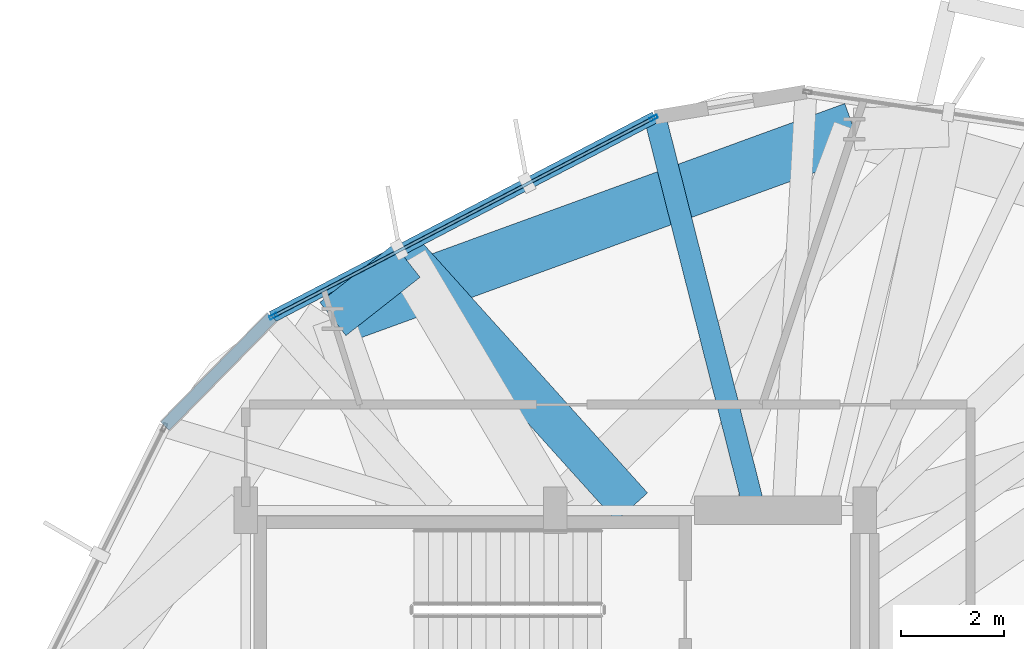
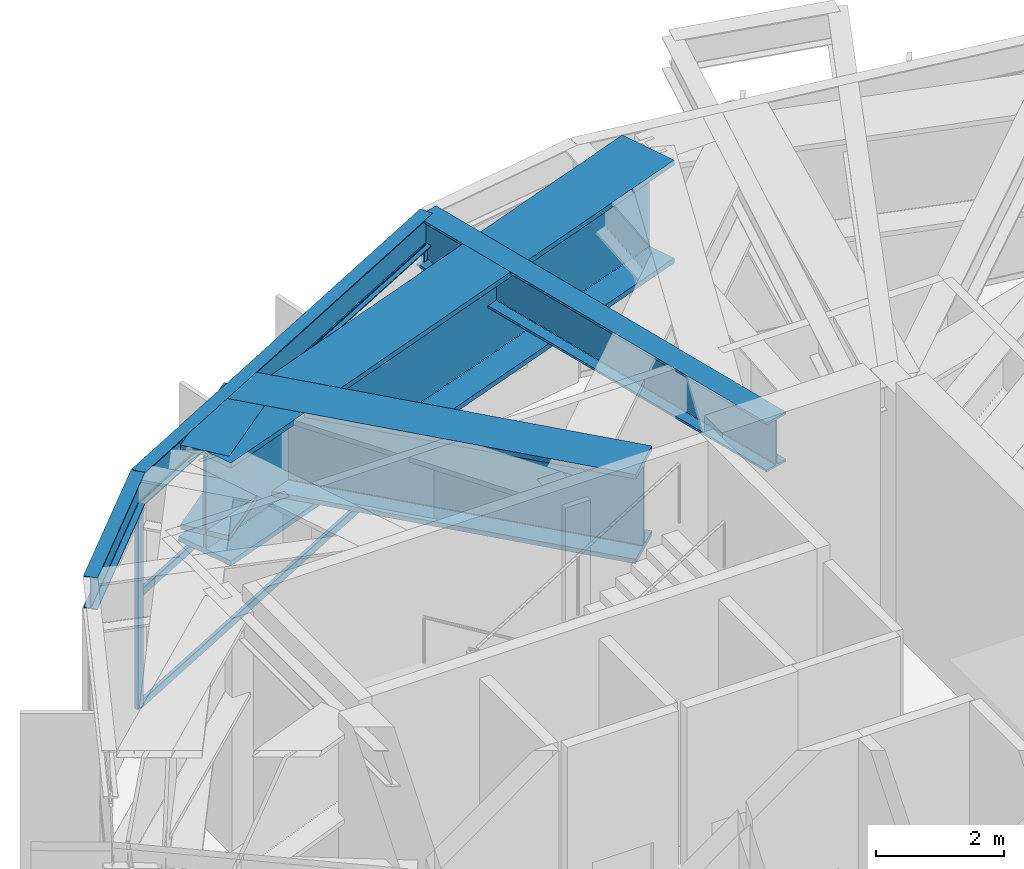
# One storey, part 17 of 27: 6 beams, 5 members, 1 element without a shape of its own.
"""IFC4 building model written with IfcOpenShell, lengths in metres."""

from ifc_helpers import new_model, si_unit, direction, frame, origin, origin_2d, place, context, subcontext, project, spatial, hollow_rectangle, i_section, extrude, material, layer, layer_set, material_profile, profile_set, type_object, element, aggregate, save


model = new_model("IFC4")

# Units and contexts
model_context = context("Model", 3, precision=1e-05, world=origin(), true_north=direction((0.0, 1.0)))
body_context = subcontext(model_context, "Body", "Model", "MODEL_VIEW")
ifc_project = project(units=[si_unit("LENGTHUNIT", "METRE"), si_unit("AREAUNIT", "SQUARE_METRE"), si_unit("VOLUMEUNIT", "CUBIC_METRE"), si_unit("PLANEANGLEUNIT", "RADIAN"), si_unit("MASSUNIT", "GRAM", prefix="KILO")], contexts=[model_context])

# Site, building, storey
site_placement = place(None, origin())
site = spatial("IfcSite", under=ifc_project, at=site_placement, CompositionType="ELEMENT")
building_placement = place(site_placement, origin())
building = spatial("IfcBuilding", under=site, at=building_placement, Name="Soratama Intermodal Tower", CompositionType="ELEMENT")
storey_placement = place(building_placement, frame((0.0, 0.0, 134.199951171875)))
storey = spatial("IfcBuildingStorey", under=building, at=storey_placement, Name="L32", CompositionType="ELEMENT", Elevation=134.199951171875)

# Beams
ifc_material_1 = material(Name="Structural steel ASTM A992 Grade 50", Category="steel")
ifc_material_profile_1 = material_profile(ifc_material_1, i_section(OverallWidth=0.423095703125, OverallDepth=0.93896484375, WebThickness=0.02392578125, FlangeThickness=0.042724609375, FilletRadius=0.02392578125, at=origin_2d()), Name="W36X302")
ifc_profile_set_1 = profile_set([ifc_material_profile_1], Name="Structural steel ASTM A992 Grade 50")
beam_type_1 = type_object("IfcBeamType", Name="BM-POD-W36X302", PredefinedType="BEAM", material=ifc_profile_set_1)
beam_1_placement = place(storey_placement, frame((42.4560546875, 35.0390625, 4.030517578125), z_axis=(-0.24570660758, 0.969344243802, 0.0), x_axis=(-0.969344243802, -0.24570660758, 0.0)))
element("IfcBeam", 1, at=beam_1_placement, inside=storey, type_object=beam_type_1, Name="BM-L32-TIE0-03", PredefinedType="BEAM", context=body_context, shape_type="SweptSolid", body=[
    extrude(i_section(OverallWidth=0.423095703125, OverallDepth=0.93896484375, WebThickness=0.02392578125, FlangeThickness=0.042724609375, FilletRadius=0.02392578125, at=origin_2d()), origin(), (0.0, 0.0, 1.0), 7.82275390625),
])
ifc_material_2 = material(Name="Structural steel ASTM A992 Grade 50", Category="steel")
ifc_material_profile_2 = material_profile(ifc_material_2, i_section(OverallWidth=0.22900390625, OverallDepth=0.612060546875, WebThickness=0.011962890625, FlangeThickness=0.01953125, FilletRadius=0.012939453125, at=origin_2d()), Name="W24X84")
ifc_profile_set_2 = profile_set([ifc_material_profile_2], Name="Structural steel ASTM A992 Grade 50")
beam_type_2 = type_object("IfcBeamType", Name="BM-SPN-W24X84", PredefinedType="SPANDREL", material=ifc_profile_set_2)
beam_2_placement = place(storey_placement, frame((40.533935546875, 42.6220703125, 4.194091796875), z_axis=(-0.886678375348, -0.462386698219, 0.0), x_axis=(0.462386698219, -0.886678375348, 0.0)))
element("IfcBeam", 2, at=beam_2_placement, inside=storey, type_object=beam_type_2, Name="BS-L32-F03", PredefinedType="SPANDREL", context=body_context, shape_type="SweptSolid", body=[
    extrude(i_section(OverallWidth=0.22900390625, OverallDepth=0.612060546875, WebThickness=0.011962890625, FlangeThickness=0.01953125, FilletRadius=0.012939453125, at=origin_2d()), origin(), (0.0, 0.0, 1.0), 8.376220703125),
])
beam_3_placement = place(storey_placement, frame((33.10693359375, 38.7490234375, 4.194091796875), z_axis=(-0.700327222019, -0.713821954061, 0.0), x_axis=(0.713821954061, -0.700327222019, 0.0)))
element("IfcBeam", 3, at=beam_3_placement, inside=storey, type_object=beam_type_2, Name="BS-L32-CRN03", PredefinedType="SPANDREL", context=body_context, shape_type="SweptSolid", body=[
    extrude(i_section(OverallWidth=0.22900390625, OverallDepth=0.612060546875, WebThickness=0.011962890625, FlangeThickness=0.01953125, FilletRadius=0.012939453125, at=origin_2d()), origin(), (0.0, 0.0, 1.0), 2.967041015625),
])
ifc_material_3 = material(Name="Structural steel ASTM A992 Grade 50", Category="steel")
ifc_material_profile_3 = material_profile(ifc_material_3, i_section(OverallWidth=0.820068359375, OverallDepth=1.699951171875, WebThickness=0.053955078125, FlangeThickness=0.087890625, FilletRadius=0.02392578125, at=origin_2d()), Name="PG1580X800")
ifc_profile_set_3 = profile_set([ifc_material_profile_3], Name="Structural steel ASTM A992 Grade 50")
beam_type_3 = type_object("IfcBeamType", Name="BM-ZSTEP-PG1580", PredefinedType="BEAM", material=ifc_profile_set_3)
beam_4_placement = place(storey_placement, frame((40.0849609375, 35.06298828125, 3.650146484375), z_axis=(-0.669155763406, 0.7431221732, 0.0), x_axis=(-0.7431221732, -0.669155763406, 0.0)))
element("IfcBeam", 4, at=beam_4_placement, inside=storey, type_object=beam_type_3, Name="BM-L32-ZCHORD-04", PredefinedType="BEAM", context=body_context, shape_type="SweptSolid", body=[
    extrude(i_section(OverallWidth=0.820068359375, OverallDepth=1.699951171875, WebThickness=0.053955078125, FlangeThickness=0.087890625, FilletRadius=0.02392578125, at=origin_2d()), origin(), (0.0, 0.0, 1.0), 6.70703125),
])
ifc_material_4 = material(Name="Structural steel ASTM A992 Grade 50", Category="steel")
ifc_material_profile_4 = material_profile(ifc_material_4, i_section(OverallWidth=0.820068359375, OverallDepth=1.60205078125, WebThickness=0.055908203125, FlangeThickness=0.092041015625, FilletRadius=0.02392578125, at=origin_2d()), Name="PG1600X650")
ifc_profile_set_4 = profile_set([ifc_material_profile_4], Name="Structural steel ASTM A992 Grade 50")
beam_type_4 = type_object("IfcBeamType", Name="BM-ZSTEP-PG1600", PredefinedType="BEAM", material=ifc_profile_set_4)
beam_5_placement = place(storey_placement, frame((34.2880859375, 38.7109375, 3.698974609375), z_axis=(0.786244219963, 0.61791587338, 0.0), x_axis=(-0.61791587338, 0.786244219963, 0.0)))
element("IfcBeam", 5, at=beam_5_placement, inside=storey, type_object=beam_type_4, Name="BM-L32-ZSTEP-A04", PredefinedType="BEAM", context=body_context, shape_type="SweptSolid", body=[
    extrude(i_section(OverallWidth=0.820068359375, OverallDepth=1.60205078125, WebThickness=0.055908203125, FlangeThickness=0.092041015625, FilletRadius=0.02392578125, at=origin_2d()), origin(), (0.0, 0.0, 1.0), 1.828857421875),
])
ifc_material_5 = material(Name="Structural steel ASTM A992 Grade 50", Category="steel")
ifc_material_profile_5 = material_profile(ifc_material_5, i_section(OverallWidth=1.06005859375, OverallDepth=1.9599609375, WebThickness=0.05810546875, FlangeThickness=0.095947265625, FilletRadius=0.02392578125, at=origin_2d()), Name="PG2400X900")
ifc_profile_set_5 = profile_set([ifc_material_profile_5], Name="Structural steel ASTM A992 Grade 50")
beam_type_5 = type_object("IfcBeamType", Name="BM-ZSTEP-PG2400", PredefinedType="BEAM", material=ifc_profile_set_5)
beam_6_placement = place(storey_placement, frame((44.39306640625, 42.388916015625, 3.52001953125), z_axis=(-0.939690636038, -0.342025596326, 0.0), x_axis=(0.342025596326, -0.939690636038, 0.0)))
element("IfcBeam", 6, at=beam_6_placement, inside=storey, type_object=beam_type_5, Name="BM-L32-RING-03", PredefinedType="BEAM", context=body_context, shape_type="SweptSolid", body=[
    extrude(i_section(OverallWidth=1.06005859375, OverallDepth=1.9599609375, WebThickness=0.05810546875, FlangeThickness=0.095947265625, FilletRadius=0.02392578125, at=origin_2d()), origin(), (0.0, 0.0, 1.0), 10.75341796875),
])

# Curtain wall, members
ifc_material_6 = material(Name="Double-glazed aluminium curtain wall", Category="aluminium")
ifc_layer = layer(ifc_material_6, 0.159912109375)
ifc_layer_set = layer_set([ifc_layer], Name="Double-glazed aluminium curtain wall")
curtain_wall_type = type_object("IfcCurtainWallType", Name="CW-SYS-3", PredefinedType="NOTDEFINED", material=ifc_layer_set)
curtain_wall_placement = place(storey_placement, origin())
curtain_wall = element("IfcCurtainWall", 7, at=curtain_wall_placement, inside=storey, type_object=curtain_wall_type, Name="L32 Faceted Curtain Wall F03", PredefinedType="NOTDEFINED")
ifc_material_7 = material(Name="Anodised aluminium AA 6063-T6", Category="aluminium")
ifc_material_profile_6 = material_profile(ifc_material_7, hollow_rectangle(XDim=0.070068359375, YDim=0.159912109375, WallThickness=0.0048828125, InnerFilletRadius=0.0048828125, OuterFilletRadius=0.010009765625, at=origin_2d()), Name="CWM160X70X5")
ifc_profile_set_6 = profile_set([ifc_material_profile_6], Name="Anodised aluminium AA 6063-T6")
member_type_1 = type_object("IfcMemberType", Name="MT-CWM-3", PredefinedType="MULLION", material=ifc_profile_set_6)
member_1_placement = place(storey_placement, frame((40.5078125, 42.607666015625, 0.0), z_axis=(0.0, 0.0, 1.0), x_axis=(0.462358726899, -0.886692961323, 0.0)))
member_1 = element("IfcMember", 8, at=member_1_placement, type_object=member_type_1, Name="CW-3 mullion 1", PredefinedType="MULLION", context=body_context, shape_type="SweptSolid", body=[
    extrude(hollow_rectangle(XDim=0.070068359375, YDim=0.159912109375, WallThickness=0.0048828125, InnerFilletRadius=0.0048828125, OuterFilletRadius=0.010009765625, at=origin_2d()), origin(), (0.0, 0.0, 1.0), 3.879150390625),
])
member_2_placement = place(storey_placement, frame((33.1337890625, 38.7626953125, 0.0), z_axis=(0.0, 0.0, 1.0), x_axis=(0.462358726899, -0.886692961323, 0.0)))
member_2 = element("IfcMember", 9, at=member_2_placement, type_object=member_type_1, Name="CW-3 mullion 2", PredefinedType="MULLION", context=body_context, shape_type="SweptSolid", body=[
    extrude(hollow_rectangle(XDim=0.070068359375, YDim=0.159912109375, WallThickness=0.0048828125, InnerFilletRadius=0.0048828125, OuterFilletRadius=0.010009765625, at=origin_2d()), origin(), (0.0, 0.0, 1.0), 3.879150390625),
])
ifc_material_8 = material(Name="Anodised aluminium AA 6063-T6", Category="aluminium")
ifc_material_profile_7 = material_profile(ifc_material_8, hollow_rectangle(XDim=0.06494140625, YDim=0.14990234375, WallThickness=0.0048828125, InnerFilletRadius=0.0048828125, OuterFilletRadius=0.010009765625, at=origin_2d()), Name="CWT150X65X5")
ifc_profile_set_7 = profile_set([ifc_material_profile_7], Name="Anodised aluminium AA 6063-T6")
member_type_2 = type_object("IfcMemberType", Name="TT-CWT-1", PredefinedType="USERDEFINED", material=ifc_profile_set_7)
member_3_placement = place(storey_placement, frame((40.481201171875, 42.59375, 0.030029296875), z_axis=(-0.886704504985, -0.462336588256, 0.0), x_axis=(0.462336588256, -0.886704504985, 0.0)))
member_3 = element("IfcMember", 10, at=member_3_placement, type_object=member_type_2, Name="CW-3 transom 1.1", ObjectType="TRANSOM", PredefinedType="USERDEFINED", context=body_context, shape_type="SweptSolid", body=[
    extrude(hollow_rectangle(XDim=0.06494140625, YDim=0.14990234375, WallThickness=0.0048828125, InnerFilletRadius=0.0048828125, OuterFilletRadius=0.010009765625, at=origin_2d()), origin(), (0.0, 0.0, 1.0), 8.256103515625),
])
member_4_placement = place(storey_placement, frame((40.481201171875, 42.59375, 2.150146484375), z_axis=(-0.886704504985, -0.462336588256, 0.0), x_axis=(0.462336588256, -0.886704504985, 0.0)))
member_4 = element("IfcMember", 11, at=member_4_placement, type_object=member_type_2, Name="CW-3 transom 1.2", ObjectType="TRANSOM", PredefinedType="USERDEFINED", context=body_context, shape_type="SweptSolid", body=[
    extrude(hollow_rectangle(XDim=0.06494140625, YDim=0.14990234375, WallThickness=0.0048828125, InnerFilletRadius=0.0048828125, OuterFilletRadius=0.010009765625, at=origin_2d()), origin(), (0.0, 0.0, 1.0), 8.256103515625),
])
member_5_placement = place(storey_placement, frame((40.481201171875, 42.59375, 3.84912109375), z_axis=(-0.886704504985, -0.462336588256, 0.0), x_axis=(0.462336588256, -0.886704504985, 0.0)))
member_5 = element("IfcMember", 12, at=member_5_placement, type_object=member_type_2, Name="CW-3 transom 1.3", ObjectType="TRANSOM", PredefinedType="USERDEFINED", context=body_context, shape_type="SweptSolid", body=[
    extrude(hollow_rectangle(XDim=0.06494140625, YDim=0.14990234375, WallThickness=0.0048828125, InnerFilletRadius=0.0048828125, OuterFilletRadius=0.010009765625, at=origin_2d()), origin(), (0.0, 0.0, 1.0), 8.256103515625),
])
aggregate(curtain_wall, [member_1, member_2, member_3, member_4, member_5])

save(model, "model.ifc")
